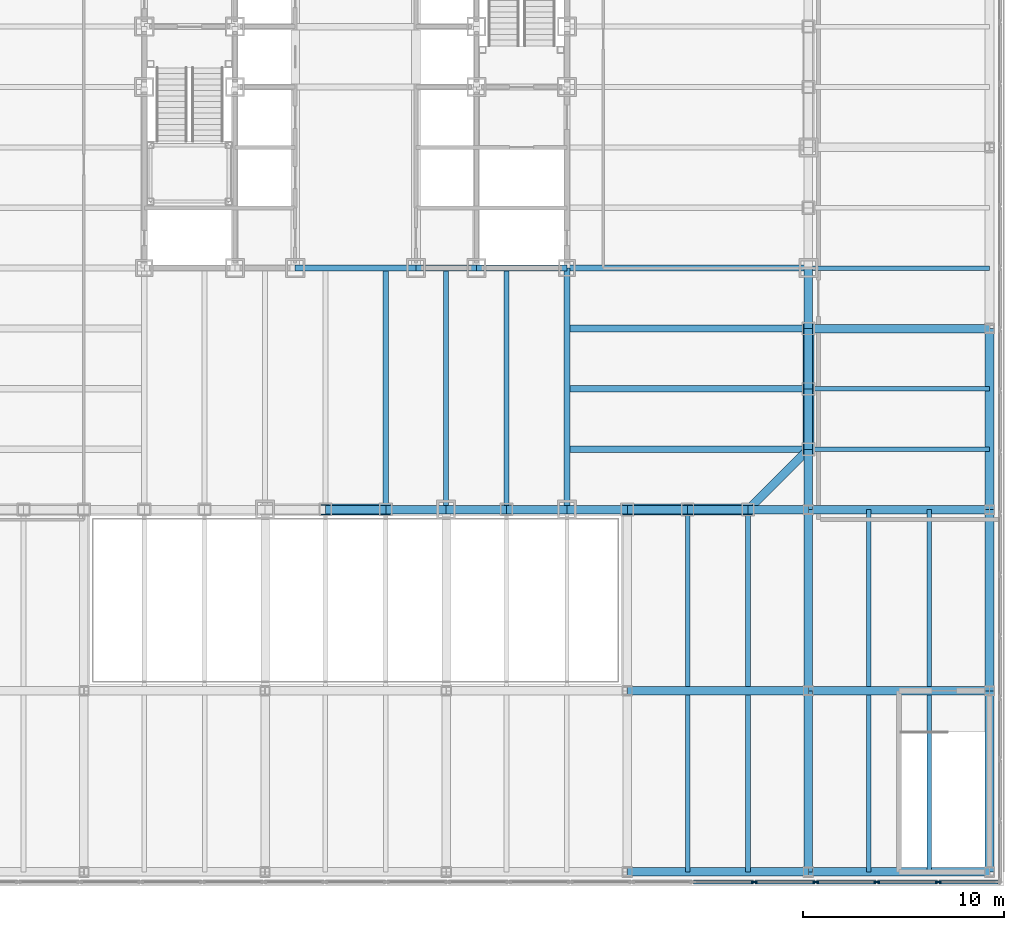
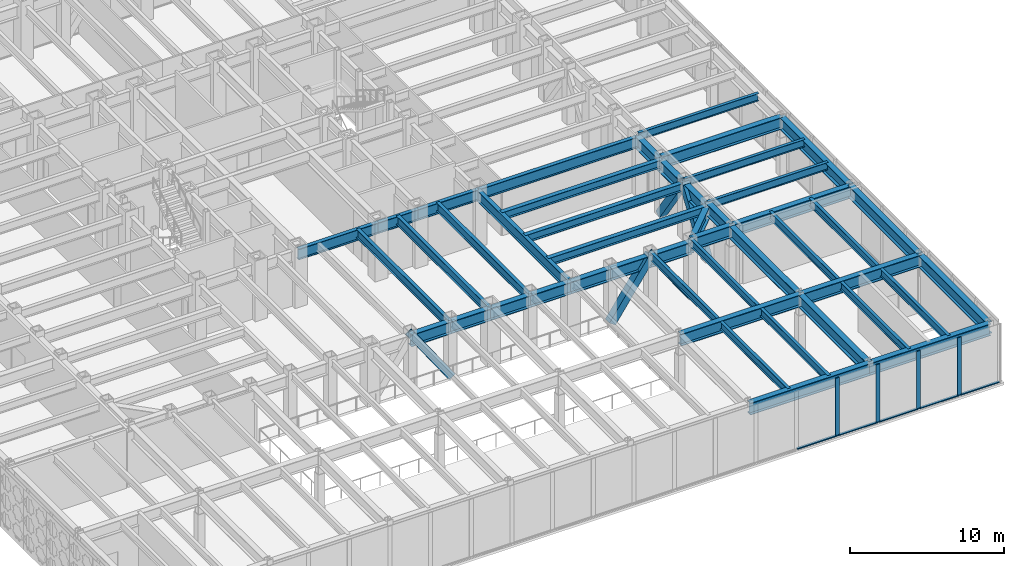
# One storey, part 5 of 24: 46 beams, 14 members, 1 element without a shape of its own.
"""IFC4 building model written with IfcOpenShell, lengths in metres."""

from ifc_helpers import new_model, si_unit, direction, frame, origin, origin_2d, place, context, subcontext, project, spatial, rectangle, hollow_rectangle, i_section, extrude, material, layer, layer_set, material_profile, profile_set, type_object, element, aggregate, save


model = new_model("IFC4")

# Units and contexts
model_context = context("Model", 3, precision=1e-05, world=origin(), true_north=direction((0.0, 1.0)))
body_context = subcontext(model_context, "Body", "Model", "MODEL_VIEW")
ifc_project = project(units=[si_unit("LENGTHUNIT", "METRE"), si_unit("AREAUNIT", "SQUARE_METRE"), si_unit("VOLUMEUNIT", "CUBIC_METRE"), si_unit("PLANEANGLEUNIT", "RADIAN"), si_unit("MASSUNIT", "GRAM", prefix="KILO")], contexts=[model_context])

# Site, building, storey
site_placement = place(None, origin())
site = spatial("IfcSite", under=ifc_project, at=site_placement, CompositionType="ELEMENT")
building_placement = place(site_placement, origin())
building = spatial("IfcBuilding", under=site, at=building_placement, Name="Chuquiago Exchange Tower", CompositionType="ELEMENT")
storey_placement = place(building_placement, frame((0.0, 0.0, 19.5)))
storey = spatial("IfcBuildingStorey", under=building, at=storey_placement, Name="L03", CompositionType="ELEMENT", Elevation=19.5)

# Beams
ifc_material_1 = material(Name="Steel ASTM A992", Category="steel")
ifc_material_profile_1 = material_profile(ifc_material_1, i_section(OverallWidth=0.2919921875, OverallDepth=0.8583984375, WebThickness=0.01708984375, FlangeThickness=0.031005859375, at=origin_2d()), Name="W33X169")
ifc_profile_set_1 = profile_set([ifc_material_profile_1], Name="Steel ASTM A992")
beam_type_1 = type_object("IfcBeamType", Name="B3 W33X169", PredefinedType="BEAM", material=ifc_profile_set_1)
beam_1_placement = place(storey_placement, frame((19.5, 12.0, 3.91064453125), z_axis=(1.0, 0.0, 0.0), x_axis=(0.0, 1.0, 0.0)))
element("IfcBeam", 1, at=beam_1_placement, inside=storey, type_object=beam_type_1, Name="CB-L04-19.5_12-25.5_12", PredefinedType="BEAM", context=body_context, shape_type="SweptSolid", body=[
    extrude(i_section(OverallWidth=0.2919921875, OverallDepth=0.8583984375, WebThickness=0.01708984375, FlangeThickness=0.031005859375, at=origin_2d()), origin(), (0.0, 0.0, 1.0), 6.0),
])
beam_2_placement = place(storey_placement, frame((25.5, 12.0, 3.91064453125), z_axis=(1.0, 0.0, 0.0), x_axis=(0.0, 1.0, 0.0)))
element("IfcBeam", 2, at=beam_2_placement, inside=storey, type_object=beam_type_1, Name="CB-L04-25.5_12-28.5_12", PredefinedType="BEAM", context=body_context, shape_type="SweptSolid", body=[
    extrude(i_section(OverallWidth=0.2919921875, OverallDepth=0.8583984375, WebThickness=0.01708984375, FlangeThickness=0.031005859375, at=origin_2d()), origin(), (0.0, 0.0, 1.0), 3.0),
])
beam_3_placement = place(storey_placement, frame((28.5, 12.0, 3.91064453125), z_axis=(1.0, 0.0, 0.0), x_axis=(0.0, 1.0, 0.0)))
element("IfcBeam", 3, at=beam_3_placement, inside=storey, type_object=beam_type_1, Name="CB-L04-28.5_12-33_12", PredefinedType="BEAM", context=body_context, shape_type="SweptSolid", body=[
    extrude(i_section(OverallWidth=0.2919921875, OverallDepth=0.8583984375, WebThickness=0.01708984375, FlangeThickness=0.031005859375, at=origin_2d()), origin(), (0.0, 0.0, 1.0), 4.5),
])
ifc_material_2 = material(Name="Steel ASTM A992", Category="steel")
ifc_material_profile_2 = material_profile(ifc_material_2, i_section(OverallWidth=0.256591796875, OverallDepth=0.693359375, WebThickness=0.014404296875, FlangeThickness=0.023681640625, at=origin_2d()), Name="W27X114")
ifc_profile_set_2 = profile_set([ifc_material_profile_2], Name="Steel ASTM A992")
beam_type_2 = type_object("IfcBeamType", Name="B4 W27X114", PredefinedType="BEAM", material=ifc_profile_set_2)
for number, where, z_axis, x_axis, name in (
    (4, (24.0, 12.0, 3.993408203125), (0.0, -1.0, 0.0), (1.0, 0.0, 0.0), "FB-L04-infill-24_12-24_-0-0"),
    (5, (27.0, 12.0, 3.993408203125), (0.0, -1.0, 0.0), (1.0, 0.0, 0.0), "FB-L04-infill-27_12-27_-0-0"),
    (6, (30.0, 12.0, 3.993408203125), (0.0, -1.0, 0.0), (1.0, 0.0, 0.0), "FB-L04-infill-30_12-30_-0-0"),
):
    element("IfcBeam", number, at=place(storey_placement, frame(where, z_axis=z_axis, x_axis=x_axis)), inside=storey, type_object=beam_type_2, Name=name, PredefinedType="BEAM", context=body_context, shape_type="SweptSolid", body=[
        extrude(i_section(OverallWidth=0.256591796875, OverallDepth=0.693359375, WebThickness=0.014404296875, FlangeThickness=0.023681640625, at=origin_2d()), origin(), (0.0, 0.0, 1.0), 12.0),
    ])
ifc_material_3 = material(Name="Steel ASTM A992", Category="steel")
ifc_material_profile_3 = material_profile(ifc_material_3, i_section(OverallWidth=0.3251953125, OverallDepth=0.6171875, WebThickness=0.013916015625, FlangeThickness=0.021484375, at=origin_2d()), Name="W24X117")
ifc_profile_set_3 = profile_set([ifc_material_profile_3], Name="Steel ASTM A992")
beam_type_3 = type_object("IfcBeamType", Name="B5 W24X117", PredefinedType="BEAM", material=ifc_profile_set_3)
for number, where, z_axis, x_axis, name in (
    (7, (33.0, 3.0, 4.031494140625), (1.0, 0.0, 0.0), (0.0, 1.0, 0.0), "FB-L04-corner-33_3-45_3-0"),
    (8, (33.0, 6.0, 4.031494140625), (1.0, 0.0, 0.0), (0.0, 1.0, 0.0), "FB-L04-corner-33_6-45_6-0"),
    (9, (33.0, 9.0, 4.031494140625), (1.0, 0.0, 0.0), (0.0, 1.0, 0.0), "FB-L04-corner-33_9-45_9-0"),
):
    element("IfcBeam", number, at=place(storey_placement, frame(where, z_axis=z_axis, x_axis=x_axis)), inside=storey, type_object=beam_type_3, Name=name, PredefinedType="BEAM", context=body_context, shape_type="SweptSolid", body=[
        extrude(i_section(OverallWidth=0.3251953125, OverallDepth=0.6171875, WebThickness=0.013916015625, FlangeThickness=0.021484375, at=origin_2d()), origin(), (0.0, 0.0, 1.0), 12.0),
    ])

# Curtain wall, members
ifc_material_4 = material(Name="Aluminium curtain wall system", Category="aluminium")
ifc_layer = layer(ifc_material_4, 0.300048828125)
ifc_layer_set = layer_set([ifc_layer], Name="CW4 podium curtain wall")
curtain_wall_type = type_object("IfcCurtainWallType", Name="CW4 podium curtain wall", PredefinedType="NOTDEFINED", material=ifc_layer_set)
curtain_wall_placement = place(storey_placement, origin())
curtain_wall = element("IfcCurtainWall", 10, at=curtain_wall_placement, inside=storey, type_object=curtain_wall_type, Name="CW4 curtain wall L03", PredefinedType="NOTDEFINED")
ifc_material_5 = material(Name="Aluminium mullion, pale anodised", Category="aluminium")
ifc_material_profile_4 = material_profile(ifc_material_5, rectangle(XDim=0.074951171875, YDim=0.300048828125, at=origin_2d()), Name="AL 75x300")
ifc_profile_set_4 = profile_set([ifc_material_profile_4], Name="Aluminium mullion, pale anodised")
member_type_1 = type_object("IfcMemberType", Name="CW4-M mullion 75x300", PredefinedType="MULLION", material=ifc_profile_set_4)
member_1_placement = place(storey_placement, frame((42.3095703125, -18.5, 0.0), z_axis=(0.0, 0.0, 1.0), x_axis=(0.0, 1.0, 0.0)))
member_1 = element("IfcMember", 11, at=member_1_placement, type_object=member_type_1, Name="CW4 mullion 18", PredefinedType="MULLION", context=body_context, shape_type="SweptSolid", body=[
    extrude(rectangle(XDim=0.074951171875, YDim=0.300048828125, at=origin_2d()), origin(), (0.0, 0.0, 1.0), 4.60009765625),
])
member_2_placement = place(storey_placement, frame((45.357177734375, -18.5, 0.0), z_axis=(0.0, 0.0, 1.0), x_axis=(0.0, 1.0, 0.0)))
member_2 = element("IfcMember", 12, at=member_2_placement, type_object=member_type_1, Name="CW4 mullion 19", PredefinedType="MULLION", context=body_context, shape_type="SweptSolid", body=[
    extrude(rectangle(XDim=0.074951171875, YDim=0.300048828125, at=origin_2d()), origin(), (0.0, 0.0, 1.0), 4.60009765625),
])
member_3_placement = place(storey_placement, frame((48.40478515625, -18.5, 0.0), z_axis=(0.0, 0.0, 1.0), x_axis=(0.0, 1.0, 0.0)))
member_3 = element("IfcMember", 13, at=member_3_placement, type_object=member_type_1, Name="CW4 mullion 20", PredefinedType="MULLION", context=body_context, shape_type="SweptSolid", body=[
    extrude(rectangle(XDim=0.074951171875, YDim=0.300048828125, at=origin_2d()), origin(), (0.0, 0.0, 1.0), 4.60009765625),
])
member_4_placement = place(storey_placement, frame((51.452392578125, -18.5, 0.0), z_axis=(0.0, 0.0, 1.0), x_axis=(0.0, 1.0, 0.0)))
member_4 = element("IfcMember", 14, at=member_4_placement, type_object=member_type_1, Name="CW4 mullion 21", PredefinedType="MULLION", context=body_context, shape_type="SweptSolid", body=[
    extrude(rectangle(XDim=0.074951171875, YDim=0.300048828125, at=origin_2d()), origin(), (0.0, 0.0, 1.0), 4.60009765625),
])
ifc_material_6 = material(Name="Aluminium transom, pale anodised", Category="aluminium")
ifc_material_profile_5 = material_profile(ifc_material_6, rectangle(XDim=0.179931640625, YDim=0.074951171875, at=origin_2d()), Name="AL 180x75")
ifc_profile_set_5 = profile_set([ifc_material_profile_5], Name="Aluminium transom, pale anodised")
member_type_2 = type_object("IfcMemberType", Name="CW4-T transom 75x180", PredefinedType="MULLION", material=ifc_profile_set_5)
member_5_placement = place(storey_placement, frame((39.29931640625, -18.5, 0.03759765625), z_axis=(1.0, 0.0, 0.0), x_axis=(0.0, 1.0, 0.0)))
member_5 = element("IfcMember", 15, at=member_5_placement, type_object=member_type_2, Name="CW4 transom 17.1", PredefinedType="MULLION", context=body_context, shape_type="SweptSolid", body=[
    extrude(rectangle(XDim=0.179931640625, YDim=0.074951171875, at=origin_2d()), origin(), (0.0, 0.0, 1.0), 2.97265625),
])
member_6_placement = place(storey_placement, frame((42.346923828125, -18.5, 0.03759765625), z_axis=(1.0, 0.0, 0.0), x_axis=(0.0, 1.0, 0.0)))
member_6 = element("IfcMember", 16, at=member_6_placement, type_object=member_type_2, Name="CW4 transom 18.1", PredefinedType="MULLION", context=body_context, shape_type="SweptSolid", body=[
    extrude(rectangle(XDim=0.179931640625, YDim=0.074951171875, at=origin_2d()), origin(), (0.0, 0.0, 1.0), 2.97265625),
])
member_7_placement = place(storey_placement, frame((45.39453125, -18.5, 0.03759765625), z_axis=(1.0, 0.0, 0.0), x_axis=(0.0, 1.0, 0.0)))
member_7 = element("IfcMember", 17, at=member_7_placement, type_object=member_type_2, Name="CW4 transom 19.1", PredefinedType="MULLION", context=body_context, shape_type="SweptSolid", body=[
    extrude(rectangle(XDim=0.179931640625, YDim=0.074951171875, at=origin_2d()), origin(), (0.0, 0.0, 1.0), 2.97265625),
])
member_8_placement = place(storey_placement, frame((48.4423828125, -18.5, 0.03759765625), z_axis=(1.0, 0.0, 0.0), x_axis=(0.0, 1.0, 0.0)))
member_8 = element("IfcMember", 18, at=member_8_placement, type_object=member_type_2, Name="CW4 transom 20.1", PredefinedType="MULLION", context=body_context, shape_type="SweptSolid", body=[
    extrude(rectangle(XDim=0.179931640625, YDim=0.074951171875, at=origin_2d()), origin(), (0.0, 0.0, 1.0), 2.972412109375),
])
member_9_placement = place(storey_placement, frame((51.489990234375, -18.5, 0.03759765625), z_axis=(1.0, 0.0, 0.0), x_axis=(0.0, 1.0, 0.0)))
member_9 = element("IfcMember", 19, at=member_9_placement, type_object=member_type_2, Name="CW4 transom 21.1", PredefinedType="MULLION", context=body_context, shape_type="SweptSolid", body=[
    extrude(rectangle(XDim=0.179931640625, YDim=0.074951171875, at=origin_2d()), origin(), (0.0, 0.0, 1.0), 2.93505859375),
])
aggregate(curtain_wall, [member_1, member_2, member_3, member_4, member_5, member_6, member_7, member_8, member_9])

# Beams
ifc_material_7 = material(Name="Steel ASTM A992", Category="steel")
ifc_material_profile_6 = material_profile(ifc_material_7, i_section(OverallWidth=0.2919921875, OverallDepth=0.8583984375, WebThickness=0.01708984375, FlangeThickness=0.031005859375, at=origin_2d()), Name="W33X169")
ifc_profile_set_6 = profile_set([ifc_material_profile_6], Name="Steel ASTM A992")
beam_type_4 = type_object("IfcBeamType", Name="G2 W33X169", PredefinedType="BEAM", material=ifc_profile_set_6)
for number, where, z_axis, x_axis, name in (
    (20, (33.0, 12.0, 3.91064453125), (0.0, -1.0, 0.0), (1.0, 0.0, 0.0), "FB-L04-girder-33_12-33_-0-0"),
    (21, (33.0, 12.0, 3.91064453125), (1.0, 0.0, 0.0), (0.0, 1.0, 0.0), "FB-L04-girder-33_12-45_12-0"),
):
    element("IfcBeam", number, at=place(storey_placement, frame(where, z_axis=z_axis, x_axis=x_axis)), inside=storey, type_object=beam_type_4, Name=name, PredefinedType="BEAM", context=body_context, shape_type="SweptSolid", body=[
        extrude(i_section(OverallWidth=0.2919921875, OverallDepth=0.8583984375, WebThickness=0.01708984375, FlangeThickness=0.031005859375, at=origin_2d()), origin(), (0.0, 0.0, 1.0), 12.0),
    ])

# Members
ifc_material_8 = material(Name="Steel ASTM A572 Grade 50", Category="steel")
ifc_material_profile_7 = material_profile(ifc_material_8, hollow_rectangle(XDim=0.550048828125, YDim=0.550048828125, WallThickness=0.044921875, at=origin_2d()), Name="BOX550X550X45")
ifc_profile_set_7 = profile_set([ifc_material_profile_7], Name="Steel ASTM A572 Grade 50")
member_type_3 = type_object("IfcMemberType", Name="MB1 BOX550X550X45", PredefinedType="BRACE", material=ifc_profile_set_7)
for number, where, z_axis, x_axis, name in (
    (22, (24.0, 0.0, 0.0), (-0.568610676405, 0.0, 0.822606770382), (0.0, -1.0, 0.0), "Mega diagonal L03 S face"),
    (23, (36.0, 0.0, 0.0), (0.568610676405, 0.0, 0.822606770382), (0.0, 1.0, 0.0), "Mega diagonal L03 S face"),
    (24, (42.0, 0.0, 0.0), (-0.568610676405, 0.0, 0.822606770382), (0.0, -1.0, 0.0), "Mega diagonal L03 S face"),
    (25, (45.0, 3.0, 0.0), (0.0, 0.568610676405, 0.822606770382), (-1.0, 0.0, 0.0), "Mega diagonal L03 E face"),
    (26, (45.0, 9.0, 0.0), (0.0, -0.568610676405, 0.822606770382), (1.0, 0.0, 0.0), "Mega diagonal L03 E face"),
):
    element("IfcMember", number, at=place(storey_placement, frame(where, z_axis=z_axis, x_axis=x_axis)), inside=storey, type_object=member_type_3, Name=name, PredefinedType="BRACE", context=body_context, shape_type="SweptSolid", body=[
        extrude(hollow_rectangle(XDim=0.550048828125, YDim=0.550048828125, WallThickness=0.044921875, at=origin_2d()), origin(), (0.0, 0.0, 1.0), 5.276123046875),
    ])

# Beams
ifc_material_9 = material(Name="Steel ASTM A992", Category="steel")
ifc_material_profile_8 = material_profile(ifc_material_9, i_section(OverallWidth=0.227783203125, OverallDepth=0.60205078125, WebThickness=0.010498046875, FlangeThickness=0.014892578125, at=origin_2d()), Name="W24X68")
ifc_profile_set_8 = profile_set([ifc_material_profile_8], Name="Steel ASTM A992")
beam_type_5 = type_object("IfcBeamType", Name="PB1 W24X68", PredefinedType="BEAM", material=ifc_profile_set_8)
for number, where, z_axis, x_axis, name in (
    (27, (39.0, -18.0, 4.299072265625), (0.0, 1.0, 0.0), (-1.0, 0.0, 0.0), "PB-L04-39_-18"),
    (28, (39.0, -8.787841796875, 4.299072265625), (0.0, 1.0, 0.0), (-1.0, 0.0, 0.0), "PB-L04-39_-9"),
    (29, (42.0, -18.0, 4.299072265625), (0.0, 1.0, 0.0), (-1.0, 0.0, 0.0), "PB-L04-42_-18"),
    (30, (42.0, -8.787841796875, 4.299072265625), (0.0, 1.0, 0.0), (-1.0, 0.0, 0.0), "PB-L04-42_-9"),
    (31, (48.0, -18.0, 4.299072265625), (0.0, 1.0, 0.0), (-1.0, 0.0, 0.0), "PB-L04-48_-18"),
    (32, (48.0, -8.787841796875, 4.299072265625), (0.0, 1.0, 0.0), (-1.0, 0.0, 0.0), "PB-L04-48_-9"),
    (33, (51.0, -18.0, 4.299072265625), (0.0, 1.0, 0.0), (-1.0, 0.0, 0.0), "PB-L04-51_-18"),
    (34, (51.0, -8.787841796875, 4.299072265625), (0.0, 1.0, 0.0), (-1.0, 0.0, 0.0), "PB-L04-51_-9"),
):
    element("IfcBeam", number, at=place(storey_placement, frame(where, z_axis=z_axis, x_axis=x_axis)), inside=storey, type_object=beam_type_5, Name=name, PredefinedType="BEAM", context=body_context, shape_type="SweptSolid", body=[
        extrude(i_section(OverallWidth=0.227783203125, OverallDepth=0.60205078125, WebThickness=0.010498046875, FlangeThickness=0.014892578125, at=origin_2d()), origin(), (0.0, 0.0, 1.0), 8.787841796875),
    ])
for number, where, z_axis, x_axis, name in (
    (35, (45.0, 3.0, 4.299072265625), (1.0, 0.0, 0.0), (0.0, 1.0, 0.0), "PB-L04-45_3"),
    (36, (45.0, 6.0, 4.299072265625), (1.0, 0.0, 0.0), (0.0, 1.0, 0.0), "PB-L04-45_6"),
    (37, (45.0, 12.0, 4.299072265625), (1.0, 0.0, 0.0), (0.0, 1.0, 0.0), "PB-L04-45_12"),
):
    element("IfcBeam", number, at=place(storey_placement, frame(where, z_axis=z_axis, x_axis=x_axis)), inside=storey, type_object=beam_type_5, Name=name, PredefinedType="BEAM", context=body_context, shape_type="SweptSolid", body=[
        extrude(i_section(OverallWidth=0.227783203125, OverallDepth=0.60205078125, WebThickness=0.010498046875, FlangeThickness=0.014892578125, at=origin_2d()), origin(), (0.0, 0.0, 1.0), 9.0),
    ])
ifc_material_10 = material(Name="Steel ASTM A992", Category="steel")
ifc_material_profile_9 = material_profile(ifc_material_10, i_section(OverallWidth=0.424072265625, OverallDepth=0.947509765625, WebThickness=0.02392578125, FlangeThickness=0.042724609375, at=origin_2d()), Name="W36X302")
ifc_profile_set_9 = profile_set([ifc_material_profile_9], Name="Steel ASTM A992")
beam_type_6 = type_object("IfcBeamType", Name="PG1 W36X302", PredefinedType="BEAM", material=ifc_profile_set_9)
for number, where, z_axis, x_axis, name in (
    (38, (45.0, -18.0, 4.126220703125), (0.0, 1.0, 0.0), (-1.0, 0.0, 0.0), "PG-L04-45_-18-45_-9"),
    (39, (45.0, -9.0, 4.126220703125), (0.0, 1.0, 0.0), (-1.0, 0.0, 0.0), "PG-L04-45_-9-45_0"),
):
    element("IfcBeam", number, at=place(storey_placement, frame(where, z_axis=z_axis, x_axis=x_axis)), inside=storey, type_object=beam_type_6, Name=name, PredefinedType="BEAM", context=body_context, shape_type="SweptSolid", body=[
        extrude(i_section(OverallWidth=0.424072265625, OverallDepth=0.947509765625, WebThickness=0.02392578125, FlangeThickness=0.042724609375, at=origin_2d()), origin(), (0.0, 0.0, 1.0), 9.0),
    ])
beam_4_placement = place(storey_placement, frame((45.0, 0.0, 4.126220703125), z_axis=(0.0, 1.0, 0.0), x_axis=(-1.0, 0.0, 0.0)))
element("IfcBeam", 40, at=beam_4_placement, inside=storey, type_object=beam_type_6, Name="PG-L04-45_0-45_3", PredefinedType="BEAM", context=body_context, shape_type="SweptSolid", body=[
    extrude(i_section(OverallWidth=0.424072265625, OverallDepth=0.947509765625, WebThickness=0.02392578125, FlangeThickness=0.042724609375, at=origin_2d()), origin(), (0.0, 0.0, 1.0), 3.0),
])
for number, where, z_axis, x_axis, name in (
    (41, (54.0, -18.0, 4.126220703125), (0.0, 1.0, 0.0), (-1.0, 0.0, 0.0), "PG-L04-54_-18-54_-9"),
    (42, (54.0, -9.0, 4.126220703125), (0.0, 1.0, 0.0), (-1.0, 0.0, 0.0), "PG-L04-54_-9-54_0"),
    (43, (54.0, 0.0, 4.126220703125), (0.0, 1.0, 0.0), (-1.0, 0.0, 0.0), "PG-L04-54_0-54_9"),
    (44, (36.0, -18.0, 4.126220703125), (1.0, 0.0, 0.0), (0.0, 1.0, 0.0), "PG-L04-36_-18-45_-18"),
    (45, (45.0, -18.0, 4.126220703125), (1.0, 0.0, 0.0), (0.0, 1.0, 0.0), "PG-L04-45_-18-54_-18"),
    (46, (36.0, -9.0, 4.126220703125), (1.0, 0.0, 0.0), (0.0, 1.0, 0.0), "PG-L04-36_-9-45_-9"),
    (47, (45.0, -9.0, 4.126220703125), (1.0, 0.0, 0.0), (0.0, 1.0, 0.0), "PG-L04-45_-9-54_-9"),
):
    element("IfcBeam", number, at=place(storey_placement, frame(where, z_axis=z_axis, x_axis=x_axis)), inside=storey, type_object=beam_type_6, Name=name, PredefinedType="BEAM", context=body_context, shape_type="SweptSolid", body=[
        extrude(i_section(OverallWidth=0.424072265625, OverallDepth=0.947509765625, WebThickness=0.02392578125, FlangeThickness=0.042724609375, at=origin_2d()), origin(), (0.0, 0.0, 1.0), 9.0),
    ])
beam_5_placement = place(storey_placement, frame((42.0, 0.0, 4.126220703125), z_axis=(1.0, 0.0, 0.0), x_axis=(0.0, 1.0, 0.0)))
element("IfcBeam", 48, at=beam_5_placement, inside=storey, type_object=beam_type_6, Name="PG-L04-42_0-45_0", PredefinedType="BEAM", context=body_context, shape_type="SweptSolid", body=[
    extrude(i_section(OverallWidth=0.424072265625, OverallDepth=0.947509765625, WebThickness=0.02392578125, FlangeThickness=0.042724609375, at=origin_2d()), origin(), (0.0, 0.0, 1.0), 3.0),
])
for number, where, z_axis, x_axis, name in (
    (49, (45.0, 0.0, 4.126220703125), (1.0, 0.0, 0.0), (0.0, 1.0, 0.0), "PG-L04-45_0-54_0"),
    (50, (45.0, 9.0, 4.126220703125), (1.0, 0.0, 0.0), (0.0, 1.0, 0.0), "PG-L04-45_9-54_9"),
):
    element("IfcBeam", number, at=place(storey_placement, frame(where, z_axis=z_axis, x_axis=x_axis)), inside=storey, type_object=beam_type_6, Name=name, PredefinedType="BEAM", context=body_context, shape_type="SweptSolid", body=[
        extrude(i_section(OverallWidth=0.424072265625, OverallDepth=0.947509765625, WebThickness=0.02392578125, FlangeThickness=0.042724609375, at=origin_2d()), origin(), (0.0, 0.0, 1.0), 9.0),
    ])
ifc_material_11 = material(Name="Steel ASTM A992", Category="steel")
ifc_material_profile_10 = material_profile(ifc_material_11, i_section(OverallWidth=0.424072265625, OverallDepth=0.947509765625, WebThickness=0.02392578125, FlangeThickness=0.042724609375, at=origin_2d()), Name="W36X302")
ifc_profile_set_10 = profile_set([ifc_material_profile_10], Name="Steel ASTM A992")
beam_type_7 = type_object("IfcBeamType", Name="SP1 W36X302", PredefinedType="SPANDREL", material=ifc_profile_set_10)
for number, where, z_axis, x_axis, name in (
    (51, (21.0, 0.0, 3.8662109375), (1.0, 0.0, 0.0), (0.0, 1.0, 0.0), "SPB-L04-21_0-24_0"),
    (52, (24.0, 0.0, 3.8662109375), (1.0, 0.0, 0.0), (0.0, 1.0, 0.0), "SPB-L04-24_0-27_0"),
    (53, (27.0, 0.0, 3.8662109375), (1.0, 0.0, 0.0), (0.0, 1.0, 0.0), "SPB-L04-27_0-30_0"),
    (54, (30.0, 0.0, 3.8662109375), (1.0, 0.0, 0.0), (0.0, 1.0, 0.0), "SPB-L04-30_0-33_0"),
    (55, (33.0, 0.0, 3.8662109375), (1.0, 0.0, 0.0), (0.0, 1.0, 0.0), "SPB-L04-33_0-36_0"),
    (56, (36.0, 0.0, 3.8662109375), (1.0, 0.0, 0.0), (0.0, 1.0, 0.0), "SPB-L04-36_0-39_0"),
    (57, (39.0, 0.0, 3.8662109375), (1.0, 0.0, 0.0), (0.0, 1.0, 0.0), "SPB-L04-39_0-42_0"),
):
    element("IfcBeam", number, at=place(storey_placement, frame(where, z_axis=z_axis, x_axis=x_axis)), inside=storey, type_object=beam_type_7, Name=name, PredefinedType="SPANDREL", context=body_context, shape_type="SweptSolid", body=[
        extrude(i_section(OverallWidth=0.424072265625, OverallDepth=0.947509765625, WebThickness=0.02392578125, FlangeThickness=0.042724609375, at=origin_2d()), origin(), (0.0, 0.0, 1.0), 3.0),
    ])
beam_6_placement = place(storey_placement, frame((42.0, 0.0, 3.8662109375), z_axis=(0.707106781187, 0.707106781187, 0.0), x_axis=(-0.707106781187, 0.707106781187, 0.0)))
element("IfcBeam", 58, at=beam_6_placement, inside=storey, type_object=beam_type_7, Name="SPB-L04-42_0-45_3", PredefinedType="SPANDREL", context=body_context, shape_type="SweptSolid", body=[
    extrude(i_section(OverallWidth=0.424072265625, OverallDepth=0.947509765625, WebThickness=0.02392578125, FlangeThickness=0.042724609375, at=origin_2d()), origin(), (0.0, 0.0, 1.0), 4.24267578125),
])
for number, where, z_axis, x_axis, name in (
    (59, (45.0, 3.0, 3.8662109375), (0.0, 1.0, 0.0), (-1.0, 0.0, 0.0), "SPB-L04-45_3-45_6"),
    (60, (45.0, 6.0, 3.8662109375), (0.0, 1.0, 0.0), (-1.0, 0.0, 0.0), "SPB-L04-45_6-45_9"),
    (61, (45.0, 9.0, 3.8662109375), (0.0, 1.0, 0.0), (-1.0, 0.0, 0.0), "SPB-L04-45_9-45_12"),
):
    element("IfcBeam", number, at=place(storey_placement, frame(where, z_axis=z_axis, x_axis=x_axis)), inside=storey, type_object=beam_type_7, Name=name, PredefinedType="SPANDREL", context=body_context, shape_type="SweptSolid", body=[
        extrude(i_section(OverallWidth=0.424072265625, OverallDepth=0.947509765625, WebThickness=0.02392578125, FlangeThickness=0.042724609375, at=origin_2d()), origin(), (0.0, 0.0, 1.0), 3.0),
    ])

save(model, "model.ifc")
